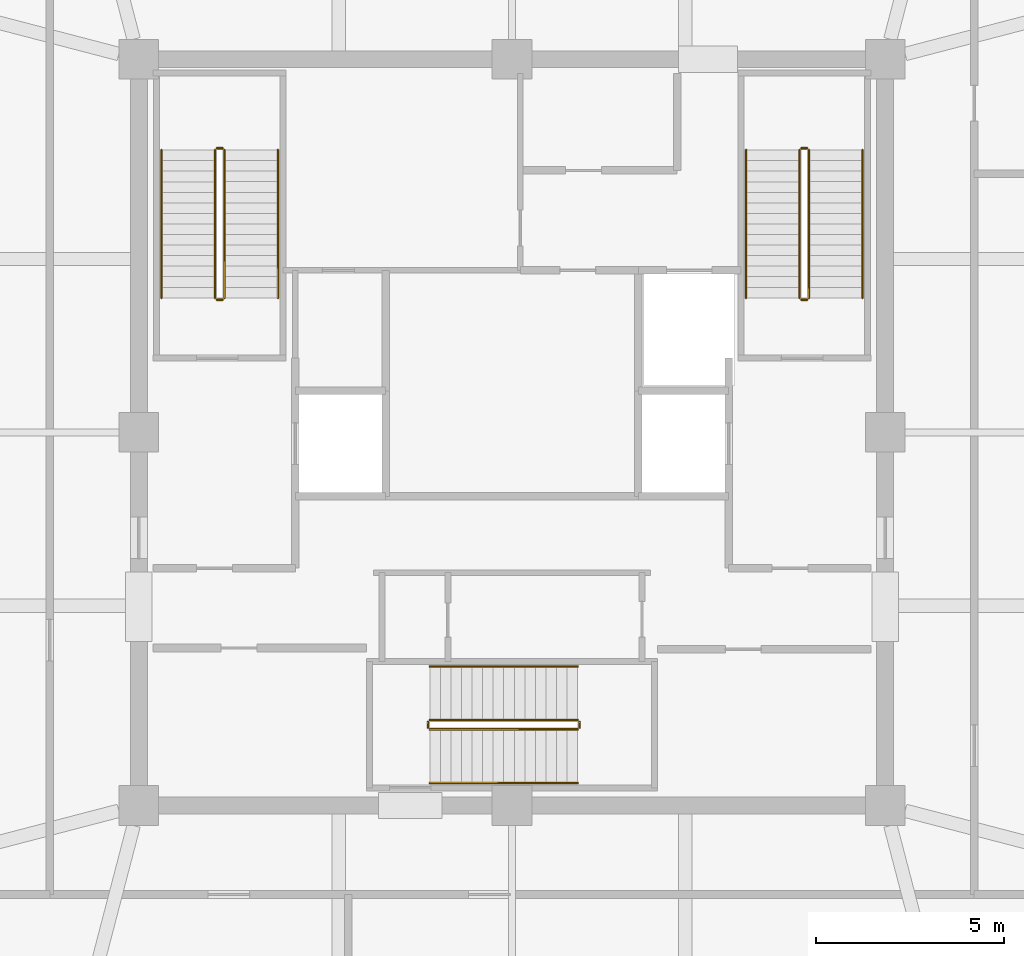
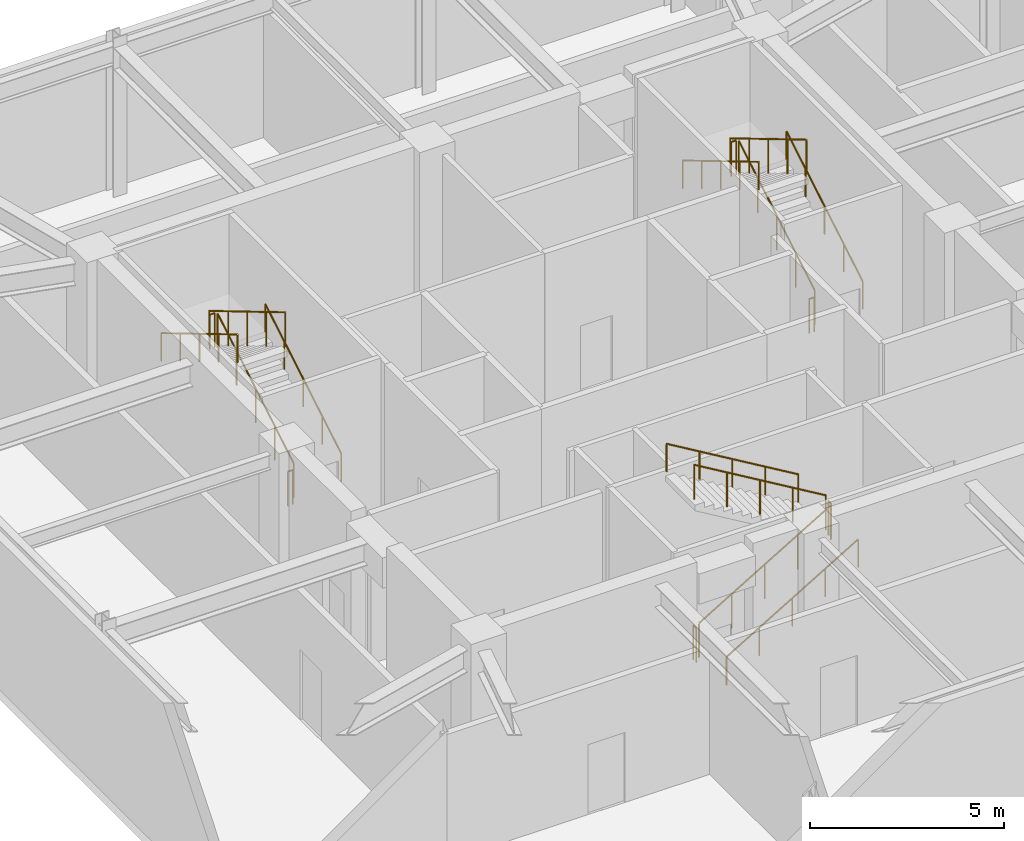
# One storey, part 5 of 5: 18 railings.
"""IFC4 building model written with IfcOpenShell, lengths in metres."""

from ifc_helpers import new_model, si_unit, direction, frame, origin, origin_2d, place, context, subcontext, project, spatial, circle, extrude, material, type_object, element, save


model = new_model("IFC4")

# Units and contexts
model_context = context("Model", 3, precision=1e-05, world=origin(), true_north=direction((0.0, 1.0)))
body_context = subcontext(model_context, "Body", "Model", "MODEL_VIEW")
ifc_project = project(units=[si_unit("LENGTHUNIT", "METRE"), si_unit("AREAUNIT", "SQUARE_METRE"), si_unit("VOLUMEUNIT", "CUBIC_METRE"), si_unit("PLANEANGLEUNIT", "RADIAN"), si_unit("MASSUNIT", "GRAM", prefix="KILO")], contexts=[model_context])

# Site, building, storey
site_placement = place(None, origin())
site = spatial("IfcSite", under=ifc_project, at=site_placement, CompositionType="ELEMENT")
building_placement = place(site_placement, origin())
building = spatial("IfcBuilding", under=site, at=building_placement, Name="Kolvaren Belvedere", CompositionType="ELEMENT")
storey_placement = place(building_placement, frame((0.0, 0.0, 277.39990234375)))
storey = spatial("IfcBuildingStorey", under=building, at=storey_placement, Name="L79", CompositionType="ELEMENT", Elevation=277.39990234375)

# Railings
ifc_material_1 = material(Name="Brushed stainless-steel handrail", Category="steel")
railing_type_1 = type_object("IfcRailingType", Name="RL-HANDRAIL-920", PredefinedType="HANDRAIL", material=ifc_material_1)
railing_1_placement = place(storey_placement, frame((-6.2099609375, 3.570068359375, 0.166748046875)))
element("IfcRailing", 1, at=railing_1_placement, inside=storey, type_object=railing_type_1, Name="L79 ST-1 stair handrail 1", PredefinedType="HANDRAIL", context=body_context, shape_type="SweptSolid", body=[
    extrude(circle(Radius=0.02392578125, at=origin_2d()), frame((0.0, 0.0, 0.8759765625), z_axis=(0.0, 0.859296244711, 0.511478214419), x_axis=(-1.0, 0.0, 0.0)), (0.0, 0.0, 1.0), 4.561767578125),
    extrude(circle(Radius=0.02099609375, at=origin_2d()), origin(), (0.0, 0.0, 1.0), 0.851806640625),
    extrude(circle(Radius=0.02099609375, at=origin_2d()), frame((0.0, 0.97998046875, 0.583251953125)), (0.0, 0.0, 1.0), 0.851806640625),
    extrude(circle(Radius=0.02099609375, at=origin_2d()), frame((0.0, 1.9599609375, 1.16650390625)), (0.0, 0.0, 1.0), 0.851806640625),
    extrude(circle(Radius=0.02099609375, at=origin_2d()), frame((0.0, 2.93994140625, 1.75)), (0.0, 0.0, 1.0), 0.851806640625),
    extrude(circle(Radius=0.02099609375, at=origin_2d()), frame((0.0, 3.919921875, 2.333251953125)), (0.0, 0.0, 1.0), 0.851806640625),
])
railing_2_placement = place(storey_placement, frame((-9.300048828125, 7.489990234375, 2.666748046875)))
element("IfcRailing", 2, at=railing_2_placement, inside=storey, type_object=railing_type_1, Name="L79 ST-1 stair handrail 2", PredefinedType="HANDRAIL", context=body_context, shape_type="SweptSolid", body=[
    extrude(circle(Radius=0.02392578125, at=origin_2d()), frame((0.0, 0.0, 0.8759765625), z_axis=(0.0, -0.859296244711, 0.511478214419), x_axis=(1.0, 0.0, 0.0)), (0.0, 0.0, 1.0), 4.561767578125),
    extrude(circle(Radius=0.02099609375, at=origin_2d()), origin(), (0.0, 0.0, 1.0), 0.851806640625),
    extrude(circle(Radius=0.02099609375, at=origin_2d()), frame((0.0, -0.97998046875, 0.583251953125)), (0.0, 0.0, 1.0), 0.851806640625),
    extrude(circle(Radius=0.02099609375, at=origin_2d()), frame((0.0, -1.9599609375, 1.16650390625)), (0.0, 0.0, 1.0), 0.851806640625),
    extrude(circle(Radius=0.02099609375, at=origin_2d()), frame((0.0, -2.93994140625, 1.75)), (0.0, 0.0, 1.0), 0.851806640625),
    extrude(circle(Radius=0.02099609375, at=origin_2d()), frame((0.0, -3.919921875, 2.333251953125)), (0.0, 0.0, 1.0), 0.851806640625),
])
railing_3_placement = place(storey_placement, frame((9.300048828125, 3.570068359375, 0.166748046875)))
element("IfcRailing", 3, at=railing_3_placement, inside=storey, type_object=railing_type_1, Name="L79 ST-2 stair handrail 1", PredefinedType="HANDRAIL", context=body_context, shape_type="SweptSolid", body=[
    extrude(circle(Radius=0.02392578125, at=origin_2d()), frame((0.0, 0.0, 0.8759765625), z_axis=(0.0, 0.859296244711, 0.511478214419), x_axis=(-1.0, 0.0, 0.0)), (0.0, 0.0, 1.0), 4.561767578125),
    extrude(circle(Radius=0.02099609375, at=origin_2d()), origin(), (0.0, 0.0, 1.0), 0.851806640625),
    extrude(circle(Radius=0.02099609375, at=origin_2d()), frame((0.0, 0.97998046875, 0.583251953125)), (0.0, 0.0, 1.0), 0.851806640625),
    extrude(circle(Radius=0.02099609375, at=origin_2d()), frame((0.0, 1.9599609375, 1.16650390625)), (0.0, 0.0, 1.0), 0.851806640625),
    extrude(circle(Radius=0.02099609375, at=origin_2d()), frame((0.0, 2.93994140625, 1.75)), (0.0, 0.0, 1.0), 0.851806640625),
    extrude(circle(Radius=0.02099609375, at=origin_2d()), frame((0.0, 3.919921875, 2.333251953125)), (0.0, 0.0, 1.0), 0.851806640625),
])
railing_4_placement = place(storey_placement, frame((6.2099609375, 7.489990234375, 2.666748046875)))
element("IfcRailing", 4, at=railing_4_placement, inside=storey, type_object=railing_type_1, Name="L79 ST-2 stair handrail 2", PredefinedType="HANDRAIL", context=body_context, shape_type="SweptSolid", body=[
    extrude(circle(Radius=0.02392578125, at=origin_2d()), frame((0.0, 0.0, 0.8759765625), z_axis=(0.0, -0.859296244711, 0.511478214419), x_axis=(1.0, 0.0, 0.0)), (0.0, 0.0, 1.0), 4.561767578125),
    extrude(circle(Radius=0.02099609375, at=origin_2d()), origin(), (0.0, 0.0, 1.0), 0.851806640625),
    extrude(circle(Radius=0.02099609375, at=origin_2d()), frame((0.0, -0.97998046875, 0.583251953125)), (0.0, 0.0, 1.0), 0.851806640625),
    extrude(circle(Radius=0.02099609375, at=origin_2d()), frame((0.0, -1.9599609375, 1.16650390625)), (0.0, 0.0, 1.0), 0.851806640625),
    extrude(circle(Radius=0.02099609375, at=origin_2d()), frame((0.0, -2.93994140625, 1.75)), (0.0, 0.0, 1.0), 0.851806640625),
    extrude(circle(Radius=0.02099609375, at=origin_2d()), frame((0.0, -3.919921875, 2.333251953125)), (0.0, 0.0, 1.0), 0.851806640625),
])
railing_5_placement = place(storey_placement, frame((-2.179931640625, -9.300048828125, 0.166748046875)))
element("IfcRailing", 5, at=railing_5_placement, inside=storey, type_object=railing_type_1, Name="L79 ST-3 stair handrail 1", PredefinedType="HANDRAIL", context=body_context, shape_type="SweptSolid", body=[
    extrude(circle(Radius=0.02392578125, at=origin_2d()), frame((0.0, 0.0, 0.8759765625), z_axis=(0.859296244711, 0.0, 0.511478214419), x_axis=(0.0, 1.0, 0.0)), (0.0, 0.0, 1.0), 4.561767578125),
    extrude(circle(Radius=0.02099609375, at=origin_2d()), origin(), (0.0, 0.0, 1.0), 0.851806640625),
    extrude(circle(Radius=0.02099609375, at=origin_2d()), frame((0.97998046875, 0.0, 0.583251953125)), (0.0, 0.0, 1.0), 0.851806640625),
    extrude(circle(Radius=0.02099609375, at=origin_2d()), frame((1.9599609375, 0.0, 1.16650390625)), (0.0, 0.0, 1.0), 0.851806640625),
    extrude(circle(Radius=0.02099609375, at=origin_2d()), frame((2.93994140625, 0.0, 1.75)), (0.0, 0.0, 1.0), 0.851806640625),
    extrude(circle(Radius=0.02099609375, at=origin_2d()), frame((3.919921875, 0.0, 2.333251953125)), (0.0, 0.0, 1.0), 0.851806640625),
])
railing_6_placement = place(storey_placement, frame((1.739990234375, -6.2099609375, 2.666748046875)))
element("IfcRailing", 6, at=railing_6_placement, inside=storey, type_object=railing_type_1, Name="L79 ST-3 stair handrail 2", PredefinedType="HANDRAIL", context=body_context, shape_type="SweptSolid", body=[
    extrude(circle(Radius=0.02392578125, at=origin_2d()), frame((0.0, 0.0, 0.8759765625), z_axis=(-0.859296244711, 0.0, 0.511478214419), x_axis=(0.0, -1.0, 0.0)), (0.0, 0.0, 1.0), 4.561767578125),
    extrude(circle(Radius=0.02099609375, at=origin_2d()), origin(), (0.0, 0.0, 1.0), 0.851806640625),
    extrude(circle(Radius=0.02099609375, at=origin_2d()), frame((-0.97998046875, 0.0, 0.583251953125)), (0.0, 0.0, 1.0), 0.851806640625),
    extrude(circle(Radius=0.02099609375, at=origin_2d()), frame((-1.9599609375, 0.0, 1.16650390625)), (0.0, 0.0, 1.0), 0.851806640625),
    extrude(circle(Radius=0.02099609375, at=origin_2d()), frame((-2.93994140625, 0.0, 1.75)), (0.0, 0.0, 1.0), 0.851806640625),
    extrude(circle(Radius=0.02099609375, at=origin_2d()), frame((-3.919921875, 0.0, 2.333251953125)), (0.0, 0.0, 1.0), 0.851806640625),
])
ifc_material_2 = material(Name="Painted tubular steel stair guard", Category="steel")
railing_type_2 = type_object("IfcRailingType", Name="RL-STGUARD-1100", PredefinedType="GUARDRAIL", material=ifc_material_2)
railing_7_placement = place(storey_placement, frame((-7.6298828125, 3.570068359375, 0.166748046875)))
element("IfcRailing", 7, at=railing_7_placement, inside=storey, type_object=railing_type_2, Name="L79 ST-1 stair guard 1", PredefinedType="GUARDRAIL", context=body_context, shape_type="SweptSolid", body=[
    extrude(circle(Radius=0.02392578125, at=origin_2d()), frame((0.0, 0.0, 1.076171875), z_axis=(0.0, 0.859296244711, 0.511478214419), x_axis=(-1.0, 0.0, 0.0)), (0.0, 0.0, 1.0), 4.561767578125),
    extrude(circle(Radius=0.02099609375, at=origin_2d()), origin(), (0.0, 0.0, 1.0), 1.052001953125),
    extrude(circle(Radius=0.02099609375, at=origin_2d()), frame((0.0, 0.97998046875, 0.583251953125)), (0.0, 0.0, 1.0), 1.052001953125),
    extrude(circle(Radius=0.02099609375, at=origin_2d()), frame((0.0, 1.9599609375, 1.16650390625)), (0.0, 0.0, 1.0), 1.052001953125),
    extrude(circle(Radius=0.02099609375, at=origin_2d()), frame((0.0, 2.93994140625, 1.75)), (0.0, 0.0, 1.0), 1.052001953125),
    extrude(circle(Radius=0.02099609375, at=origin_2d()), frame((0.0, 3.919921875, 2.333251953125)), (0.0, 0.0, 1.0), 1.052001953125),
])
railing_8_placement = place(storey_placement, frame((-7.679931640625, 7.5400390625, 2.5)))
element("IfcRailing", 8, at=railing_8_placement, inside=storey, type_object=railing_type_2, Name="L79 ST-1 stair guard 2", PredefinedType="GUARDRAIL", context=body_context, shape_type="SweptSolid", body=[
    extrude(circle(Radius=0.02392578125, at=origin_2d()), frame((0.0, 0.0, 1.076171875), z_axis=(-1.0, 0.0, 0.0), x_axis=(0.0, -1.0, 0.0)), (0.0, 0.0, 1.0), 0.150146484375),
    extrude(circle(Radius=0.02099609375, at=origin_2d()), origin(), (0.0, 0.0, 1.0), 1.052001953125),
    extrude(circle(Radius=0.02099609375, at=origin_2d()), frame((-0.150146484375, 0.0, 0.0)), (0.0, 0.0, 1.0), 1.052001953125),
])
railing_9_placement = place(storey_placement, frame((-7.8798828125, 7.489990234375, 2.666748046875)))
element("IfcRailing", 9, at=railing_9_placement, inside=storey, type_object=railing_type_2, Name="L79 ST-1 stair guard 3", PredefinedType="GUARDRAIL", context=body_context, shape_type="SweptSolid", body=[
    extrude(circle(Radius=0.02392578125, at=origin_2d()), frame((0.0, 0.0, 1.076171875), z_axis=(0.0, -0.859296244711, 0.511478214419), x_axis=(1.0, 0.0, 0.0)), (0.0, 0.0, 1.0), 4.561767578125),
    extrude(circle(Radius=0.02099609375, at=origin_2d()), origin(), (0.0, 0.0, 1.0), 1.052001953125),
    extrude(circle(Radius=0.02099609375, at=origin_2d()), frame((0.0, -0.97998046875, 0.583251953125)), (0.0, 0.0, 1.0), 1.052001953125),
    extrude(circle(Radius=0.02099609375, at=origin_2d()), frame((0.0, -1.9599609375, 1.16650390625)), (0.0, 0.0, 1.0), 1.052001953125),
    extrude(circle(Radius=0.02099609375, at=origin_2d()), frame((0.0, -2.93994140625, 1.75)), (0.0, 0.0, 1.0), 1.052001953125),
    extrude(circle(Radius=0.02099609375, at=origin_2d()), frame((0.0, -3.919921875, 2.333251953125)), (0.0, 0.0, 1.0), 1.052001953125),
])
railing_10_placement = place(storey_placement, frame((-7.679931640625, 3.52001953125, 0.0)))
element("IfcRailing", 10, at=railing_10_placement, inside=storey, type_object=railing_type_2, Name="L79 ST-1 stair guard 4", PredefinedType="GUARDRAIL", context=body_context, shape_type="SweptSolid", body=[
    extrude(circle(Radius=0.02392578125, at=origin_2d()), frame((0.0, 0.0, 1.076171875), z_axis=(-1.0, 0.0, 0.0), x_axis=(0.0, -1.0, 0.0)), (0.0, 0.0, 1.0), 0.150146484375),
    extrude(circle(Radius=0.02099609375, at=origin_2d()), origin(), (0.0, 0.0, 1.0), 1.052001953125),
    extrude(circle(Radius=0.02099609375, at=origin_2d()), frame((-0.150146484375, 0.0, 0.0)), (0.0, 0.0, 1.0), 1.052001953125),
])
railing_11_placement = place(storey_placement, frame((7.8798828125, 3.570068359375, 0.166748046875)))
element("IfcRailing", 11, at=railing_11_placement, inside=storey, type_object=railing_type_2, Name="L79 ST-2 stair guard 1", PredefinedType="GUARDRAIL", context=body_context, shape_type="SweptSolid", body=[
    extrude(circle(Radius=0.02392578125, at=origin_2d()), frame((0.0, 0.0, 1.076171875), z_axis=(0.0, 0.859296244711, 0.511478214419), x_axis=(-1.0, 0.0, 0.0)), (0.0, 0.0, 1.0), 4.561767578125),
    extrude(circle(Radius=0.02099609375, at=origin_2d()), origin(), (0.0, 0.0, 1.0), 1.052001953125),
    extrude(circle(Radius=0.02099609375, at=origin_2d()), frame((0.0, 0.97998046875, 0.583251953125)), (0.0, 0.0, 1.0), 1.052001953125),
    extrude(circle(Radius=0.02099609375, at=origin_2d()), frame((0.0, 1.9599609375, 1.16650390625)), (0.0, 0.0, 1.0), 1.052001953125),
    extrude(circle(Radius=0.02099609375, at=origin_2d()), frame((0.0, 2.93994140625, 1.75)), (0.0, 0.0, 1.0), 1.052001953125),
    extrude(circle(Radius=0.02099609375, at=origin_2d()), frame((0.0, 3.919921875, 2.333251953125)), (0.0, 0.0, 1.0), 1.052001953125),
])
railing_12_placement = place(storey_placement, frame((7.830078125, 7.5400390625, 2.5)))
element("IfcRailing", 12, at=railing_12_placement, inside=storey, type_object=railing_type_2, Name="L79 ST-2 stair guard 2", PredefinedType="GUARDRAIL", context=body_context, shape_type="SweptSolid", body=[
    extrude(circle(Radius=0.02392578125, at=origin_2d()), frame((0.0, 0.0, 1.076171875), z_axis=(-1.0, 0.0, 0.0), x_axis=(0.0, -1.0, 0.0)), (0.0, 0.0, 1.0), 0.150146484375),
    extrude(circle(Radius=0.02099609375, at=origin_2d()), origin(), (0.0, 0.0, 1.0), 1.052001953125),
    extrude(circle(Radius=0.02099609375, at=origin_2d()), frame((-0.150146484375, 0.0, 0.0)), (0.0, 0.0, 1.0), 1.052001953125),
])
railing_13_placement = place(storey_placement, frame((7.6298828125, 7.489990234375, 2.666748046875)))
element("IfcRailing", 13, at=railing_13_placement, inside=storey, type_object=railing_type_2, Name="L79 ST-2 stair guard 3", PredefinedType="GUARDRAIL", context=body_context, shape_type="SweptSolid", body=[
    extrude(circle(Radius=0.02392578125, at=origin_2d()), frame((0.0, 0.0, 1.076171875), z_axis=(0.0, -0.859296244711, 0.511478214419), x_axis=(1.0, 0.0, 0.0)), (0.0, 0.0, 1.0), 4.561767578125),
    extrude(circle(Radius=0.02099609375, at=origin_2d()), origin(), (0.0, 0.0, 1.0), 1.052001953125),
    extrude(circle(Radius=0.02099609375, at=origin_2d()), frame((0.0, -0.97998046875, 0.583251953125)), (0.0, 0.0, 1.0), 1.052001953125),
    extrude(circle(Radius=0.02099609375, at=origin_2d()), frame((0.0, -1.9599609375, 1.16650390625)), (0.0, 0.0, 1.0), 1.052001953125),
    extrude(circle(Radius=0.02099609375, at=origin_2d()), frame((0.0, -2.93994140625, 1.75)), (0.0, 0.0, 1.0), 1.052001953125),
    extrude(circle(Radius=0.02099609375, at=origin_2d()), frame((0.0, -3.919921875, 2.333251953125)), (0.0, 0.0, 1.0), 1.052001953125),
])
railing_14_placement = place(storey_placement, frame((7.830078125, 3.52001953125, 0.0)))
element("IfcRailing", 14, at=railing_14_placement, inside=storey, type_object=railing_type_2, Name="L79 ST-2 stair guard 4", PredefinedType="GUARDRAIL", context=body_context, shape_type="SweptSolid", body=[
    extrude(circle(Radius=0.02392578125, at=origin_2d()), frame((0.0, 0.0, 1.076171875), z_axis=(-1.0, 0.0, 0.0), x_axis=(0.0, -1.0, 0.0)), (0.0, 0.0, 1.0), 0.150146484375),
    extrude(circle(Radius=0.02099609375, at=origin_2d()), origin(), (0.0, 0.0, 1.0), 1.052001953125),
    extrude(circle(Radius=0.02099609375, at=origin_2d()), frame((-0.150146484375, 0.0, 0.0)), (0.0, 0.0, 1.0), 1.052001953125),
])
railing_15_placement = place(storey_placement, frame((-2.179931640625, -7.8798828125, 0.166748046875)))
element("IfcRailing", 15, at=railing_15_placement, inside=storey, type_object=railing_type_2, Name="L79 ST-3 stair guard 1", PredefinedType="GUARDRAIL", context=body_context, shape_type="SweptSolid", body=[
    extrude(circle(Radius=0.02392578125, at=origin_2d()), frame((0.0, 0.0, 1.076171875), z_axis=(0.859296244711, 0.0, 0.511478214419), x_axis=(0.0, 1.0, 0.0)), (0.0, 0.0, 1.0), 4.561767578125),
    extrude(circle(Radius=0.02099609375, at=origin_2d()), origin(), (0.0, 0.0, 1.0), 1.052001953125),
    extrude(circle(Radius=0.02099609375, at=origin_2d()), frame((0.97998046875, 0.0, 0.583251953125)), (0.0, 0.0, 1.0), 1.052001953125),
    extrude(circle(Radius=0.02099609375, at=origin_2d()), frame((1.9599609375, 0.0, 1.16650390625)), (0.0, 0.0, 1.0), 1.052001953125),
    extrude(circle(Radius=0.02099609375, at=origin_2d()), frame((2.93994140625, 0.0, 1.75)), (0.0, 0.0, 1.0), 1.052001953125),
    extrude(circle(Radius=0.02099609375, at=origin_2d()), frame((3.919921875, 0.0, 2.333251953125)), (0.0, 0.0, 1.0), 1.052001953125),
])
railing_16_placement = place(storey_placement, frame((1.7900390625, -7.830078125, 2.5)))
element("IfcRailing", 16, at=railing_16_placement, inside=storey, type_object=railing_type_2, Name="L79 ST-3 stair guard 2", PredefinedType="GUARDRAIL", context=body_context, shape_type="SweptSolid", body=[
    extrude(circle(Radius=0.02392578125, at=origin_2d()), frame((0.0, 0.0, 1.076171875), z_axis=(0.0, 1.0, 0.0), x_axis=(-1.0, 0.0, 0.0)), (0.0, 0.0, 1.0), 0.150146484375),
    extrude(circle(Radius=0.02099609375, at=origin_2d()), origin(), (0.0, 0.0, 1.0), 1.052001953125),
    extrude(circle(Radius=0.02099609375, at=origin_2d()), frame((0.0, 0.150146484375, 0.0)), (0.0, 0.0, 1.0), 1.052001953125),
])
railing_17_placement = place(storey_placement, frame((1.739990234375, -7.6298828125, 2.666748046875)))
element("IfcRailing", 17, at=railing_17_placement, inside=storey, type_object=railing_type_2, Name="L79 ST-3 stair guard 3", PredefinedType="GUARDRAIL", context=body_context, shape_type="SweptSolid", body=[
    extrude(circle(Radius=0.02392578125, at=origin_2d()), frame((0.0, 0.0, 1.076171875), z_axis=(-0.859296244711, 0.0, 0.511478214419), x_axis=(0.0, -1.0, 0.0)), (0.0, 0.0, 1.0), 4.561767578125),
    extrude(circle(Radius=0.02099609375, at=origin_2d()), origin(), (0.0, 0.0, 1.0), 1.052001953125),
    extrude(circle(Radius=0.02099609375, at=origin_2d()), frame((-0.97998046875, 0.0, 0.583251953125)), (0.0, 0.0, 1.0), 1.052001953125),
    extrude(circle(Radius=0.02099609375, at=origin_2d()), frame((-1.9599609375, 0.0, 1.16650390625)), (0.0, 0.0, 1.0), 1.052001953125),
    extrude(circle(Radius=0.02099609375, at=origin_2d()), frame((-2.93994140625, 0.0, 1.75)), (0.0, 0.0, 1.0), 1.052001953125),
    extrude(circle(Radius=0.02099609375, at=origin_2d()), frame((-3.919921875, 0.0, 2.333251953125)), (0.0, 0.0, 1.0), 1.052001953125),
])
railing_18_placement = place(storey_placement, frame((-2.22998046875, -7.830078125, 0.0)))
element("IfcRailing", 18, at=railing_18_placement, inside=storey, type_object=railing_type_2, Name="L79 ST-3 stair guard 4", PredefinedType="GUARDRAIL", context=body_context, shape_type="SweptSolid", body=[
    extrude(circle(Radius=0.02392578125, at=origin_2d()), frame((0.0, 0.0, 1.076171875), z_axis=(0.0, 1.0, 0.0), x_axis=(-1.0, 0.0, 0.0)), (0.0, 0.0, 1.0), 0.150146484375),
    extrude(circle(Radius=0.02099609375, at=origin_2d()), origin(), (0.0, 0.0, 1.0), 1.052001953125),
    extrude(circle(Radius=0.02099609375, at=origin_2d()), frame((0.0, 0.150146484375, 0.0)), (0.0, 0.0, 1.0), 1.052001953125),
])

save(model, "model.ifc")
